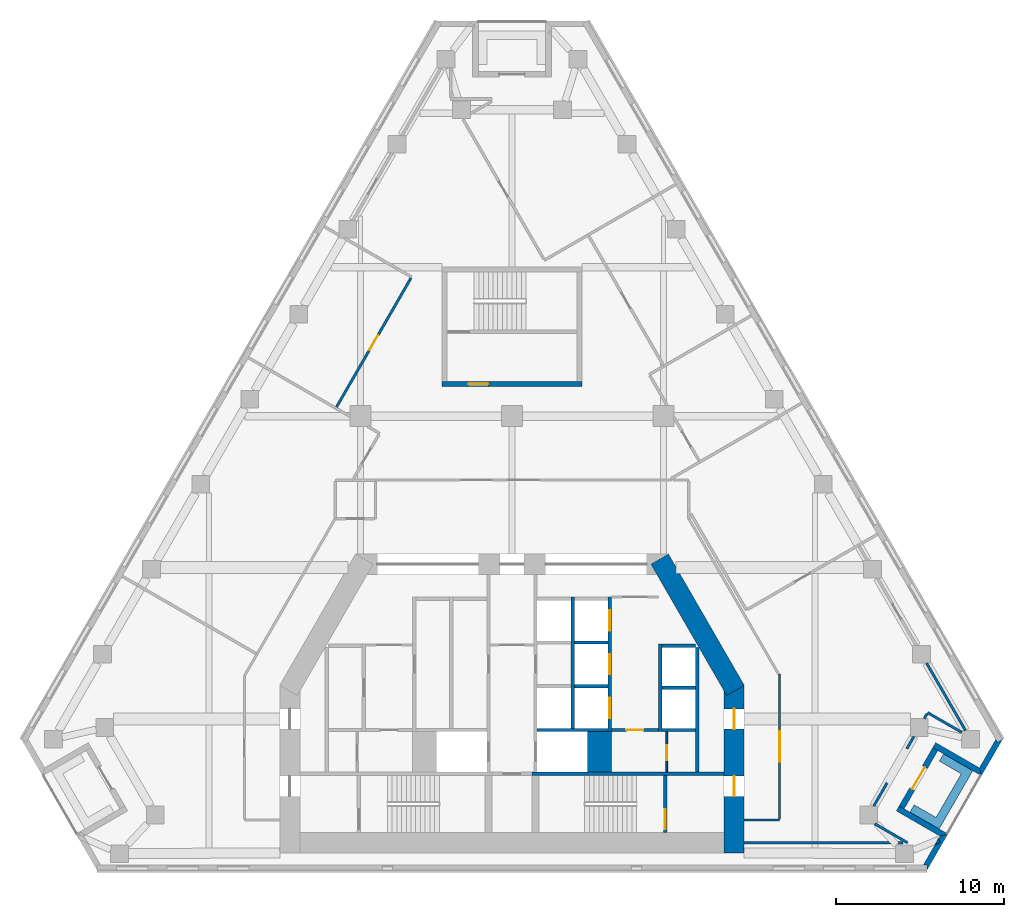
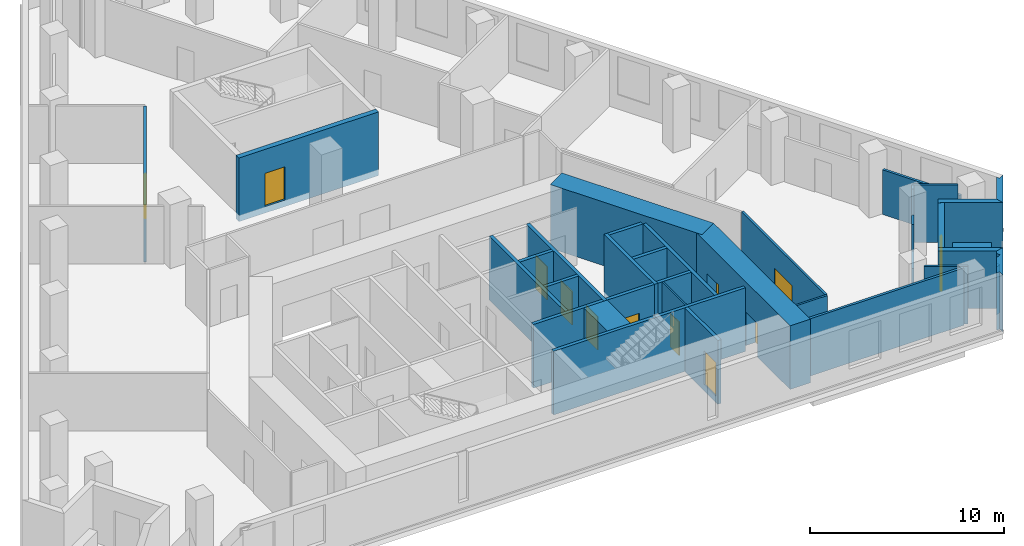
# One storey, part 6 of 9: 35 walls, 12 doors, 12 openings.
"""IFC4 building model written with IfcOpenShell, lengths in metres."""

from ifc_helpers import new_model, si_unit, direction, frame, frame_2d, origin, place, context, subcontext, project, spatial, polyline, rectangle, outline, extrude, material, layer, layer_set, type_object, element, fill, save


model = new_model("IFC4")

# Units and contexts
model_context = context("Model", 3, precision=1e-05, world=origin(), true_north=direction((0.0, 1.0)))
body_context = subcontext(model_context, "Body", "Model", "MODEL_VIEW")
ifc_project = project(units=[si_unit("LENGTHUNIT", "METRE"), si_unit("AREAUNIT", "SQUARE_METRE"), si_unit("VOLUMEUNIT", "CUBIC_METRE"), si_unit("PLANEANGLEUNIT", "RADIAN"), si_unit("MASSUNIT", "GRAM", prefix="KILO")], contexts=[model_context])

# Site, building, storey
site_placement = place(None, origin())
site = spatial("IfcSite", under=ifc_project, at=site_placement, CompositionType="ELEMENT")
building_placement = place(site_placement, origin())
building = spatial("IfcBuilding", under=site, at=building_placement, Name="Fogline Exchange Tower", CompositionType="ELEMENT")
storey_placement = place(building_placement, frame((0.0, 0.0, 146.89990234375)))
storey = spatial("IfcBuildingStorey", under=building, at=storey_placement, Name="L32", CompositionType="ELEMENT", Elevation=146.89990234375)

# Wall, opening, door
ifc_material_1 = material(Name="Blockwork partition", Category="masonry")
ifc_layer_1 = layer(ifc_material_1, 0.10009765625)
ifc_layer_set_1 = layer_set([ifc_layer_1], Name="CW10")
wall_type_1 = type_object("IfcWallType", Name="CW10", PredefinedType="PARTITIONING", material=ifc_layer_set_1)
wall_1_placement = place(storey_placement, frame((9.199951171875, 5.85009765625, 0.0), z_axis=(0.0, 0.0, 1.0), x_axis=(0.0, 1.0, 0.0)))
wall_1 = element("IfcWall", 1, at=wall_1_placement, inside=storey, type_object=wall_type_1, Name="WC partition", PredefinedType="PARTITIONING", context=body_context, shape_type="SweptSolid", body=[
    extrude(rectangle(XDim=2.39990234375, YDim=0.10009765625, at=frame_2d((1.199951171875, 0.0))), origin(), (0.0, 0.0, 1.0), 3.60009765625),
])
opening_1_placement = place(wall_1_placement, frame((0.699951171875, 0.0, 0.0)))
opening_1 = element("IfcOpeningElement", 2, at=opening_1_placement, cuts=wall_1, Name="Opening T10-C014", PredefinedType="OPENING", context=body_context, shape_type="SweptSolid", body=[
    extrude(rectangle(XDim=0.89990234375, YDim=2.10009765625, at=frame_2d((0.449951171875, 1.050048828125))), frame((0.0, 0.06005859375, 0.0), z_axis=(0.0, -1.0, 0.0), x_axis=(1.0, 0.0, 0.0)), (0.0, 0.0, 1.0), 0.1201171875),
])
ifc_material_2 = material(Name="Steel and timber fire door", Category="steel")
door_type_1 = type_object("IfcDoorType", Name="D-CS1", OperationType="SINGLE_SWING_RIGHT", PredefinedType="DOOR", material=ifc_material_2)
door_1_placement = place(opening_1_placement, frame((0.89990234375, 0.0, 0.0), z_axis=(0.0, 0.0, 1.0), x_axis=(-1.0, 0.0, 0.0)))
door_1 = element("IfcDoor", 3, at=door_1_placement, inside=storey, type_object=door_type_1, Name="Door to Cleaner's Store", OperationType="SINGLE_SWING_RIGHT", OverallHeight=2.10009765625, OverallWidth=0.89990234375, PredefinedType="DOOR", context=body_context, shape_type="SweptSolid", body=[
    extrude(rectangle(XDim=0.89990234375, YDim=2.10009765625, at=frame_2d((0.449951171875, 1.050048828125))), frame((0.0, 0.02490234375, 0.0), z_axis=(0.0, -1.0, 0.0), x_axis=(1.0, 0.0, 0.0)), (0.0, 0.0, 1.0), 0.050048828125),
])
fill(opening_1, door_1)

# Walls
ifc_material_3 = material(Name="Concrete C60", Category="concrete")
ifc_layer_2 = layer(ifc_material_3, 1.39990234375)
ifc_layer_set_2 = layer_set([ifc_layer_2], Name="CW140")
wall_type_2 = type_object("IfcWallType", Name="CW140", PredefinedType="SOLIDWALL", material=ifc_layer_set_2)
wall_2_placement = place(storey_placement, frame((5.199951171875, 5.85009765625, -0.39990234375), z_axis=(0.0, 0.0, 1.0), x_axis=(0.0, 1.0, 0.0)))
element("IfcWall", 4, at=wall_2_placement, inside=storey, type_object=wall_type_2, Name="Lift shaft block wall", PredefinedType="SOLIDWALL", context=body_context, shape_type="SweptSolid", body=[
    extrude(rectangle(XDim=2.39990234375, YDim=1.39990234375, at=frame_2d((1.199951171875, 0.0))), origin(), (0.0, 0.0, 1.0), 4.0),
])
ifc_material_4 = material(Name="Concrete C40", Category="concrete")
ifc_layer_3 = layer(ifc_material_4, 0.199951171875)
ifc_layer_set_3 = layer_set([ifc_layer_3], Name="CW20")
wall_type_3 = type_object("IfcWallType", Name="CW20", PredefinedType="SOLIDWALL", material=ifc_layer_set_3)
wall_3_placement = place(storey_placement, frame((11.0, 5.85009765625, 0.0), z_axis=(0.0, 0.0, 1.0), x_axis=(0.0, 1.0, 0.0)))
element("IfcWall", 5, at=wall_3_placement, inside=storey, type_object=wall_type_3, Name="Service room wall", PredefinedType="SOLIDWALL", context=body_context, shape_type="SweptSolid", body=[
    extrude(rectangle(XDim=7.39990234375, YDim=0.199951171875, at=frame_2d((3.699951171875, 0.0))), origin(), (0.0, 0.0, 1.0), 3.60009765625),
])

# Wall, opening, door
wall_4_placement = place(storey_placement, frame((5.89990234375, 8.35009765625, 0.0), z_axis=(0.0, 0.0, 1.0), x_axis=(1.0, 0.0, 0.0)))
wall_4 = element("IfcWall", 6, at=wall_4_placement, inside=storey, type_object=wall_type_3, Name="WC wall", PredefinedType="SOLIDWALL", context=body_context, shape_type="SweptSolid", body=[
    extrude(rectangle(XDim=2.800048828125, YDim=0.199951171875, at=frame_2d((1.39990234375, 0.0))), origin(), (0.0, 0.0, 1.0), 3.60009765625),
])
opening_2_placement = place(wall_4_placement, frame((0.89990234375, 0.0, 0.0)))
opening_2 = element("IfcOpeningElement", 7, at=opening_2_placement, cuts=wall_4, Name="Opening T10-C013", PredefinedType="OPENING", context=body_context, shape_type="SweptSolid", body=[
    extrude(rectangle(XDim=1.0, YDim=2.10009765625, at=frame_2d((0.5, 1.050048828125))), frame((0.0, 0.10986328125, 0.0), z_axis=(0.0, -1.0, 0.0), x_axis=(1.0, 0.0, 0.0)), (0.0, 0.0, 1.0), 0.219970703125),
])
door_type_2 = type_object("IfcDoorType", Name="D-WC1", OperationType="SINGLE_SWING_LEFT", PredefinedType="DOOR", material=ifc_material_2)
door_2_placement = place(opening_2_placement, frame((1.0, 0.0, 0.0), z_axis=(0.0, 0.0, 1.0), x_axis=(-1.0, 0.0, 0.0)))
door_2 = element("IfcDoor", 8, at=door_2_placement, inside=storey, type_object=door_type_2, Name="Door to Women's WC", OperationType="SINGLE_SWING_LEFT", OverallHeight=2.10009765625, OverallWidth=1.0, PredefinedType="DOOR", context=body_context, shape_type="SweptSolid", body=[
    extrude(rectangle(XDim=1.0, YDim=2.10009765625, at=frame_2d((0.5, 1.050048828125))), frame((0.0, 0.02490234375, 0.0), z_axis=(0.0, -1.0, 0.0), x_axis=(1.0, 0.0, 0.0)), (0.0, 0.0, 1.0), 0.050048828125),
])
fill(opening_2, door_2)

# Wall
ifc_layer_4 = layer(ifc_material_4, 0.199951171875)
ifc_layer_set_4 = layer_set([ifc_layer_4], Name="CW20R")
wall_type_4 = type_object("IfcWallType", Name="CW20R", PredefinedType="SOLIDWALL", material=ifc_layer_set_4)
wall_5_placement = place(storey_placement, frame((1.199951171875, 5.75, -0.39990234375), z_axis=(0.0, 0.0, 1.0), x_axis=(1.0, 0.0, 0.0)))
element("IfcWall", 9, at=wall_5_placement, inside=storey, type_object=wall_type_4, Name="Stair enclosure wall", PredefinedType="SOLIDWALL", context=body_context, shape_type="SweptSolid", body=[
    extrude(rectangle(XDim=11.400146484375, YDim=0.199951171875, at=frame_2d((5.7001953125, 0.0))), origin(), (0.0, 0.0, 1.0), 4.0),
])

# Wall, opening, door
wall_6_placement = place(storey_placement, frame((9.10009765625, 2.25, -0.39990234375), z_axis=(0.0, 0.0, 1.0), x_axis=(0.0, 1.0, 0.0)))
wall_6 = element("IfcWall", 10, at=wall_6_placement, inside=storey, type_object=wall_type_4, Name="Stair enclosure wall", PredefinedType="SOLIDWALL", context=body_context, shape_type="SweptSolid", body=[
    extrude(rectangle(XDim=3.39990234375, YDim=0.199951171875, at=frame_2d((1.699951171875, 0.0))), origin(), (0.0, 0.0, 1.0), 4.0),
])
opening_3_placement = place(wall_6_placement, frame((0.199951171875, 0.0, 0.39990234375)))
opening_3 = element("IfcOpeningElement", 11, at=opening_3_placement, cuts=wall_6, Name="Opening T10-C016", PredefinedType="OPENING", context=body_context, shape_type="SweptSolid", body=[
    extrude(rectangle(XDim=1.199951171875, YDim=2.10009765625, at=frame_2d((0.60009765625, 1.050048828125))), frame((0.0, 0.10986328125, 0.0), z_axis=(0.0, -1.0, 0.0), x_axis=(1.0, 0.0, 0.0)), (0.0, 0.0, 1.0), 0.219970703125),
])
door_type_3 = type_object("IfcDoorType", Name="D-ST1", OperationType="SINGLE_SWING_LEFT", PredefinedType="DOOR", material=ifc_material_2)
door_3_placement = place(opening_3_placement, origin())
door_3 = element("IfcDoor", 12, at=door_3_placement, inside=storey, type_object=door_type_3, Name="Stair door ST2", OperationType="SINGLE_SWING_LEFT", OverallHeight=2.10009765625, OverallWidth=1.199951171875, PredefinedType="DOOR", context=body_context, shape_type="SweptSolid", body=[
    extrude(rectangle(XDim=1.199951171875, YDim=2.10009765625, at=frame_2d((0.60009765625, 1.050048828125))), frame((0.0, 0.02490234375, 0.0), z_axis=(0.0, -1.0, 0.0), x_axis=(1.0, 0.0, 0.0)), (0.0, 0.0, 1.0), 0.050048828125),
])
fill(opening_3, door_3)

# Wall
ifc_layer_5 = layer(ifc_material_4, 0.199951171875)
ifc_layer_set_5 = layer_set([ifc_layer_5], Name="CW20S")
wall_type_5 = type_object("IfcWallType", Name="CW20S", PredefinedType="SOLIDWALL", material=ifc_layer_set_5)
wall_7_placement = place(storey_placement, frame((8.800048828125, 8.25, -0.39990234375), z_axis=(0.0, 0.0, 1.0), x_axis=(0.0, 1.0, 0.0)))
element("IfcWall", 13, at=wall_7_placement, inside=storey, type_object=wall_type_5, Name="Lift shaft wall", PredefinedType="SOLIDWALL", context=body_context, shape_type="SweptSolid", body=[
    extrude(rectangle(XDim=5.199951171875, YDim=0.199951171875, at=frame_2d((2.60009765625, 0.0))), origin(), (0.0, 0.0, 1.0), 4.0),
])

# Wall, openings, doors
wall_8_placement = place(storey_placement, frame((5.800048828125, 8.25, -0.39990234375), z_axis=(0.0, 0.0, 1.0), x_axis=(0.0, 1.0, 0.0)))
wall_8 = element("IfcWall", 14, at=wall_8_placement, inside=storey, type_object=wall_type_5, Name="Lift shaft wall", PredefinedType="SOLIDWALL", context=body_context, shape_type="SweptSolid", body=[
    extrude(rectangle(XDim=8.0, YDim=0.199951171875, at=frame_2d((4.0, 0.0))), origin(), (0.0, 0.0, 1.0), 4.0),
])
opening_4_placement = place(wall_8_placement, frame((0.800048828125, 0.0, 0.39990234375)))
opening_4 = element("IfcOpeningElement", 15, at=opening_4_placement, cuts=wall_8, Name="Opening T10-LD02", PredefinedType="OPENING", context=body_context, shape_type="SweptSolid", body=[
    extrude(rectangle(XDim=1.199951171875, YDim=2.10009765625, at=frame_2d((0.60009765625, 1.050048828125))), frame((0.0, 0.10986328125, 0.0), z_axis=(0.0, -1.0, 0.0), x_axis=(1.0, 0.0, 0.0)), (0.0, 0.0, 1.0), 0.219970703125),
])
opening_5_placement = place(wall_8_placement, frame((3.39990234375, 0.0, 0.39990234375)))
opening_5 = element("IfcOpeningElement", 16, at=opening_5_placement, cuts=wall_8, Name="Opening T10-LD03", PredefinedType="OPENING", context=body_context, shape_type="SweptSolid", body=[
    extrude(rectangle(XDim=1.199951171875, YDim=2.10009765625, at=frame_2d((0.60009765625, 1.050048828125))), frame((0.0, 0.10986328125, 0.0), z_axis=(0.0, -1.0, 0.0), x_axis=(1.0, 0.0, 0.0)), (0.0, 0.0, 1.0), 0.219970703125),
])
opening_6_placement = place(wall_8_placement, frame((6.0, 0.0, 0.39990234375)))
opening_6 = element("IfcOpeningElement", 17, at=opening_6_placement, cuts=wall_8, Name="Opening T10-LD04", PredefinedType="OPENING", context=body_context, shape_type="SweptSolid", body=[
    extrude(rectangle(XDim=1.199951171875, YDim=2.10009765625, at=frame_2d((0.60009765625, 1.050048828125))), frame((0.0, 0.10986328125, 0.0), z_axis=(0.0, -1.0, 0.0), x_axis=(1.0, 0.0, 0.0)), (0.0, 0.0, 1.0), 0.219970703125),
])
door_type_4 = type_object("IfcDoorType", Name="LD1", OperationType="SLIDING_TO_LEFT", PredefinedType="DOOR", material=ifc_material_2)
door_4_placement = place(opening_4_placement, origin())
door_4 = element("IfcDoor", 18, at=door_4_placement, inside=storey, type_object=door_type_4, Name="Landing door MR1", OperationType="SLIDING_TO_LEFT", OverallHeight=2.10009765625, OverallWidth=1.199951171875, PredefinedType="DOOR", context=body_context, shape_type="SweptSolid", body=[
    extrude(rectangle(XDim=1.199951171875, YDim=2.10009765625, at=frame_2d((0.60009765625, 1.050048828125))), frame((0.0, 0.02490234375, 0.0), z_axis=(0.0, -1.0, 0.0), x_axis=(1.0, 0.0, 0.0)), (0.0, 0.0, 1.0), 0.050048828125),
])
fill(opening_4, door_4)
door_5_placement = place(opening_5_placement, origin())
door_5 = element("IfcDoor", 19, at=door_5_placement, inside=storey, type_object=door_type_4, Name="Landing door MR2", OperationType="SLIDING_TO_LEFT", OverallHeight=2.10009765625, OverallWidth=1.199951171875, PredefinedType="DOOR", context=body_context, shape_type="SweptSolid", body=[
    extrude(rectangle(XDim=1.199951171875, YDim=2.10009765625, at=frame_2d((0.60009765625, 1.050048828125))), frame((0.0, 0.02490234375, 0.0), z_axis=(0.0, -1.0, 0.0), x_axis=(1.0, 0.0, 0.0)), (0.0, 0.0, 1.0), 0.050048828125),
])
fill(opening_5, door_5)
door_6_placement = place(opening_6_placement, origin())
door_6 = element("IfcDoor", 20, at=door_6_placement, inside=storey, type_object=door_type_4, Name="Landing door MR3", OperationType="SLIDING_TO_LEFT", OverallHeight=2.10009765625, OverallWidth=1.199951171875, PredefinedType="DOOR", context=body_context, shape_type="SweptSolid", body=[
    extrude(rectangle(XDim=1.199951171875, YDim=2.10009765625, at=frame_2d((0.60009765625, 1.050048828125))), frame((0.0, 0.02490234375, 0.0), z_axis=(0.0, -1.0, 0.0), x_axis=(1.0, 0.0, 0.0)), (0.0, 0.0, 1.0), 0.050048828125),
])
fill(opening_6, door_6)

# Walls
wall_9_placement = place(storey_placement, frame((3.60009765625, 8.449951171875, -0.39990234375), z_axis=(0.0, 0.0, 1.0), x_axis=(0.0, 1.0, 0.0)))
element("IfcWall", 21, at=wall_9_placement, inside=storey, type_object=wall_type_5, Name="Lift shaft wall", PredefinedType="SOLIDWALL", context=body_context, shape_type="SweptSolid", body=[
    extrude(rectangle(XDim=7.800048828125, YDim=0.199951171875, at=frame_2d((3.89990234375, 0.0))), origin(), (0.0, 0.0, 1.0), 4.0),
])
wall_10_placement = place(storey_placement, frame((8.89990234375, 8.35009765625, -0.39990234375), z_axis=(0.0, 0.0, 1.0), x_axis=(1.0, 0.0, 0.0)))
element("IfcWall", 22, at=wall_10_placement, inside=storey, type_object=wall_type_5, Name="Lift shaft wall", PredefinedType="SOLIDWALL", context=body_context, shape_type="SweptSolid", body=[
    extrude(rectangle(XDim=2.0, YDim=0.199951171875, at=frame_2d((1.0, 0.0))), origin(), (0.0, 0.0, 1.0), 4.0),
])
wall_11_placement = place(storey_placement, frame((1.5, 8.35009765625, -0.39990234375), z_axis=(0.0, 0.0, 1.0), x_axis=(1.0, 0.0, 0.0)))
element("IfcWall", 23, at=wall_11_placement, inside=storey, type_object=wall_type_5, Name="Lift shaft wall", PredefinedType="SOLIDWALL", context=body_context, shape_type="SweptSolid", body=[
    extrude(rectangle(XDim=4.199951171875, YDim=0.199951171875, at=frame_2d((2.10009765625, 0.0))), origin(), (0.0, 0.0, 1.0), 4.0),
])
for number, where, z_axis, x_axis, name in (
    (24, (8.89990234375, 10.85009765625, -0.39990234375), (0.0, 0.0, 1.0), (1.0, 0.0, 0.0), "Lift shaft wall"),
    (25, (8.89990234375, 13.35009765625, -0.39990234375), (0.0, 0.0, 1.0), (1.0, 0.0, 0.0), "Lift shaft wall"),
    (26, (3.699951171875, 10.949951171875, -0.39990234375), (0.0, 0.0, 1.0), (1.0, 0.0, 0.0), "Lift shaft wall"),
    (27, (3.699951171875, 13.550048828125, -0.39990234375), (0.0, 0.0, 1.0), (1.0, 0.0, 0.0), "Lift shaft wall"),
):
    element("IfcWall", number, at=place(storey_placement, frame(where, z_axis=z_axis, x_axis=x_axis)), inside=storey, type_object=wall_type_5, Name=name, PredefinedType="SOLIDWALL", context=body_context, shape_type="SweptSolid", body=[
        extrude(rectangle(XDim=2.0, YDim=0.199951171875, at=frame_2d((1.0, 0.0))), origin(), (0.0, 0.0, 1.0), 4.0),
    ])

# Wall, opening, door
ifc_layer_6 = layer(ifc_material_4, 0.300048828125)
ifc_layer_set_6 = layer_set([ifc_layer_6], Name="CW30")
wall_type_6 = type_object("IfcWallType", Name="CW30", PredefinedType="SOLIDWALL", material=ifc_layer_set_6)
wall_12_placement = place(storey_placement, frame((-4.14990234375, 28.906982421875, -0.39990234375), z_axis=(0.0, 0.0, 1.0), x_axis=(1.0, 0.0, 0.0)))
wall_12 = element("IfcWall", 28, at=wall_12_placement, inside=storey, type_object=wall_type_6, Name="Stair enclosure wall ST3", PredefinedType="SOLIDWALL", context=body_context, shape_type="SweptSolid", body=[
    extrude(rectangle(XDim=8.2998046875, YDim=0.300048828125, at=frame_2d((4.14990234375, 0.0))), origin(), (0.0, 0.0, 1.0), 4.0),
])
opening_7_placement = place(wall_12_placement, frame((1.550048828125, 0.0, 0.39990234375)))
opening_7 = element("IfcOpeningElement", 29, at=opening_7_placement, cuts=wall_12, Name="Opening T10-C022", PredefinedType="OPENING", context=body_context, shape_type="SweptSolid", body=[
    extrude(rectangle(XDim=1.199951171875, YDim=2.10009765625, at=frame_2d((0.60009765625, 1.050048828125))), frame((0.0, 0.16015625, 0.0), z_axis=(0.0, -1.0, 0.0), x_axis=(1.0, 0.0, 0.0)), (0.0, 0.0, 1.0), 0.320068359375),
])
door_type_5 = type_object("IfcDoorType", Name="D-FR1", OperationType="SINGLE_SWING_RIGHT", PredefinedType="DOOR", material=ifc_material_2)
door_7_placement = place(opening_7_placement, origin())
door_7 = element("IfcDoor", 30, at=door_7_placement, inside=storey, type_object=door_type_5, Name="Front room door ST3", OperationType="SINGLE_SWING_LEFT", OverallHeight=2.10009765625, OverallWidth=1.199951171875, PredefinedType="DOOR", context=body_context, shape_type="SweptSolid", body=[
    extrude(rectangle(XDim=1.199951171875, YDim=2.10009765625, at=frame_2d((0.60009765625, 1.050048828125))), frame((0.0, 0.02490234375, 0.0), z_axis=(0.0, -1.0, 0.0), x_axis=(1.0, 0.0, 0.0)), (0.0, 0.0, 1.0), 0.050048828125),
])
fill(opening_7, door_7)

# Walls
ifc_material_5 = material(Name="Brick masonry", Category="masonry")
ifc_layer_7 = layer(ifc_material_5, 0.340087890625)
ifc_layer_set_7 = layer_set([ifc_layer_7], Name="FW1")
wall_type_7 = type_object("IfcWallType", Name="FW1", PredefinedType="SOLIDWALL", material=ifc_layer_set_7)
wall_13_placement = place(storey_placement, origin())
element("IfcWall", 31, at=wall_13_placement, inside=storey, type_object=wall_type_7, Name="Brick wall L32 SE-c1", PredefinedType="SOLIDWALL", context=body_context, shape_type="SweptSolid", body=[
    extrude(outline(polyline([(25.338134765625, 1.875732421875), (25.43115234375, 1.649658203125), (25.137939453125, 1.529052734375), (25.338134765625, 1.875732421875)])), origin(), (0.0, 0.0, 1.0), 3.0),
])
wall_14_placement = place(storey_placement, origin())
element("IfcWall", 32, at=wall_14_placement, inside=storey, type_object=wall_type_7, Name="Brick wall L32 SE-c1", PredefinedType="SOLIDWALL", context=body_context, shape_type="SweptSolid", body=[
    extrude(outline(polyline([(24.6484375, -0.001220703125), (24.64794921875, -0.0009765625), (24.64794921875, 0.33935546875), (24.451171875, 0.33935546875), (25.137939453125, 1.529052734375), (25.43115234375, 1.649658203125), (25.338134765625, 1.875732421875), (25.43359375, 2.041015625), (25.8994140625, 2.166015625), (25.8994140625, 2.165771484375), (24.6484375, -0.001220703125)])), origin(), (0.0, 0.0, 1.0), 3.60009765625),
])
wall_15_placement = place(storey_placement, origin())
element("IfcWall", 33, at=wall_15_placement, inside=storey, type_object=wall_type_7, Name="Brick wall L32 SE-s1", PredefinedType="SOLIDWALL", context=body_context, shape_type="SweptSolid", body=[
    extrude(outline(polyline([(22.835205078125, 3.540283203125), (23.005859375, 3.8359375), (23.30078125, 3.66552734375), (25.899658203125, 2.1650390625), (25.899658203125, 2.164794921875), (25.433837890625, 2.0400390625), (22.835205078125, 3.540283203125)])), origin(), (0.0, 0.0, 1.0), 3.60009765625),
])

# Wall, opening, door
wall_16_placement = place(storey_placement, frame((23.153076171875, 3.75, 0.0), z_axis=(0.0, 0.0, 1.0), x_axis=(0.49999894854, 0.866026010844, 0.0)))
wall_16 = element("IfcWall", 34, at=wall_16_placement, inside=storey, type_object=wall_type_7, Name="Brick wall L32 SE-bk", PredefinedType="SOLIDWALL", context=body_context, shape_type="SweptSolid", body=[
    extrude(rectangle(XDim=4.0, YDim=0.340087890625, at=frame_2d((2.0, 0.0))), origin(), (0.0, 0.0, 1.0), 3.60009765625),
])
opening_8_placement = place(wall_16_placement, frame((1.25, 0.0, 0.0)))
opening_8 = element("IfcOpeningElement", 35, at=opening_8_placement, cuts=wall_16, Name="Opening T10-E081", PredefinedType="OPENING", context=body_context, shape_type="SweptSolid", body=[
    extrude(rectangle(XDim=1.5, YDim=2.39990234375, at=frame_2d((0.75, 1.199951171875))), frame((0.0, 0.18017578125, 0.0), z_axis=(0.0, -1.0, 0.0), x_axis=(1.0, 0.0, 0.0)), (0.0, 0.0, 1.0), 0.360107421875),
])
ifc_material_6 = material(Name="Aluminium and glass", Category="aluminium")
door_type_6 = type_object("IfcDoorType", Name="ED4", OperationType="SINGLE_SWING_LEFT", PredefinedType="DOOR", material=ifc_material_6)
door_8_placement = place(opening_8_placement, frame((1.5, 0.0, 0.0), z_axis=(0.0, 0.0, 1.0), x_axis=(-1.0, 0.0, 0.0)))
door_8 = element("IfcDoor", 36, at=door_8_placement, inside=storey, type_object=door_type_6, Name="Balcony door L32 SE", OperationType="DOUBLE_DOOR_SINGLE_SWING", OverallHeight=2.39990234375, OverallWidth=1.5, PredefinedType="DOOR", context=body_context, shape_type="SweptSolid", body=[
    extrude(rectangle(XDim=1.5, YDim=2.39990234375, at=frame_2d((0.75, 1.199951171875))), frame((0.0, 0.02490234375, 0.0), z_axis=(0.0, -1.0, 0.0), x_axis=(1.0, 0.0, 0.0)), (0.0, 0.0, 1.0), 0.050048828125),
])
fill(opening_8, door_8)

# Walls
wall_17_placement = place(storey_placement, origin())
element("IfcWall", 37, at=wall_17_placement, inside=storey, type_object=wall_type_7, Name="Brick wall L32 SE-s2", PredefinedType="SOLIDWALL", context=body_context, shape_type="SweptSolid", body=[
    extrude(outline(polyline([(27.899169921875, 5.628173828125), (25.300048828125, 7.128662109375), (25.005126953125, 7.298828125), (25.17578125, 7.594482421875), (27.774658203125, 6.093994140625), (27.8994140625, 5.62841796875), (27.899169921875, 5.628173828125)])), origin(), (0.0, 0.0, 1.0), 3.60009765625),
])
wall_18_placement = place(storey_placement, origin())
element("IfcWall", 38, at=wall_18_placement, inside=storey, type_object=wall_type_7, Name="Brick wall L32 SE-c2", PredefinedType="SOLIDWALL", context=body_context, shape_type="SweptSolid", body=[
    extrude(outline(polyline([(28.755859375, 7.79541015625), (28.854248046875, 7.625), (29.149169921875, 7.79541015625), (29.149658203125, 7.794921875), (27.8984375, 5.6279296875), (27.898193359375, 5.6279296875), (27.7734375, 6.09375), (28.755859375, 7.79541015625)])), origin(), (0.0, 0.0, 1.0), 3.60009765625),
])
ifc_material_7 = material(Name="Concrete C30", Category="concrete")
ifc_layer_8 = layer(ifc_material_7, 0.199951171875)
ifc_layer_set_8 = layer_set([ifc_layer_8], Name="PL1")
wall_type_8 = type_object("IfcWallType", Name="PL1", PredefinedType="USERDEFINED", material=ifc_layer_set_8)
wall_19_placement = place(storey_placement, origin())
element("IfcWall", 39, at=wall_19_placement, inside=storey, type_object=wall_type_8, Name="PLANTER balcony L32 SE", ObjectType="PLANTER", PredefinedType="USERDEFINED", context=body_context, shape_type="SweptSolid", body=[
    extrude(outline(polyline([(23.646728515625, 3.465087890625), (24.94580078125, 2.715087890625), (24.94580078125, 2.715087890625), (25.37890625, 2.465087890625), (27.12890625, 5.49609375), (27.37890625, 5.92919921875), (25.646728515625, 6.92919921875), (25.396728515625, 6.49609375), (26.69580078125, 5.74609375), (25.19580078125, 3.148193359375), (23.896728515625, 3.898193359375), (23.646728515625, 3.465087890625)])), origin(), (0.0, 0.0, 1.0), 1.10009765625),
])

# Wall, opening, door
ifc_material_8 = material(Name="Plasterboard corridor partition with mineral wool, 2 layers each side")
ifc_layer_9 = layer(ifc_material_8, 0.125)
ifc_layer_set_9 = layer_set([ifc_layer_9], Name="PW2")
wall_type_9 = type_object("IfcWallType", Name="PW2", PredefinedType="PARTITIONING", material=ifc_layer_set_9)
wall_20_placement = place(storey_placement, frame((15.89990234375, 11.67041015625, 0.0), z_axis=(0.0, 0.0, 1.0), x_axis=(0.0, -1.0, 0.0)))
wall_20 = element("IfcWall", 40, at=wall_20_placement, inside=storey, type_object=wall_type_9, Name="wall-L32-W002", PredefinedType="PARTITIONING", context=body_context, shape_type="SweptSolid", body=[
    extrude(rectangle(XDim=8.60791015625, YDim=0.125, at=frame_2d((4.303955078125, 0.0))), origin(), (0.0, 0.0, 1.0), 3.60009765625),
])
opening_9_placement = place(wall_20_placement, frame((3.40380859375, 0.0, 0.0)))
opening_9 = element("IfcOpeningElement", 41, at=opening_9_placement, cuts=wall_20, Name="Opening T10-D001", PredefinedType="OPENING", context=body_context, shape_type="SweptSolid", body=[
    extrude(rectangle(XDim=1.800048828125, YDim=2.10009765625, at=frame_2d((0.89990234375, 1.050048828125))), frame((0.0, 0.072509765625, 0.0), z_axis=(0.0, -1.0, 0.0), x_axis=(1.0, 0.0, 0.0)), (0.0, 0.0, 1.0), 0.14501953125),
])
ifc_material_9 = material(Name="Fire-rated timber door leaves with steel frame", Category="steel")
door_type_7 = type_object("IfcDoorType", Name="D4", OperationType="DOUBLE_DOOR_SINGLE_SWING", PredefinedType="DOOR", material=ifc_material_9)
door_9_placement = place(opening_9_placement, frame((1.800048828125, 0.0, 0.0), z_axis=(0.0, 0.0, 1.0), x_axis=(-1.0, 0.0, 0.0)))
door_9 = element("IfcDoor", 42, at=door_9_placement, inside=storey, type_object=door_type_7, Name="door-L32-D001", OperationType="DOUBLE_DOOR_SINGLE_SWING", OverallHeight=2.10009765625, OverallWidth=1.800048828125, PredefinedType="DOOR", context=body_context, shape_type="SweptSolid", body=[
    extrude(rectangle(XDim=1.800048828125, YDim=2.10009765625, at=frame_2d((0.89990234375, 1.050048828125))), frame((0.0, 0.02490234375, 0.0), z_axis=(0.0, -1.0, 0.0), x_axis=(1.0, 0.0, 0.0)), (0.0, 0.0, 1.0), 0.050048828125),
])
fill(opening_9, door_9)

# Wall
wall_21_placement = place(storey_placement, frame((15.89990234375, 3.0, 0.0), z_axis=(0.0, 0.0, 1.0), x_axis=(-1.0, 0.0, 0.0)))
element("IfcWall", 43, at=wall_21_placement, inside=storey, type_object=wall_type_9, Name="wall-L32-W003", PredefinedType="PARTITIONING", context=body_context, shape_type="SweptSolid", body=[
    extrude(rectangle(XDim=2.099853515625, YDim=0.125, at=frame_2d((1.0498046875, 0.0))), origin(), (0.0, 0.0, 1.0), 3.60009765625),
])

# Wall, opening, door
ifc_material_10 = material(Name="Plasterboard demising partition with mineral wool and acoustic board")
ifc_layer_10 = layer(ifc_material_10, 0.14990234375)
ifc_layer_set_10 = layer_set([ifc_layer_10], Name="PW3")
wall_type_10 = type_object("IfcWallType", Name="PW3", PredefinedType="PARTITIONING", material=ifc_layer_set_10)
wall_22_placement = place(storey_placement, frame((-10.429443359375, 27.53662109375, 0.0), z_axis=(0.0, 0.0, 1.0), x_axis=(0.50001697323, 0.866015604063, 0.0)))
wall_22 = element("IfcWall", 44, at=wall_22_placement, inside=storey, type_object=wall_type_10, Name="wall-L32-W032", PredefinedType="PARTITIONING", context=body_context, shape_type="SweptSolid", body=[
    extrude(rectangle(XDim=8.849853515625, YDim=0.14990234375, at=frame_2d((4.4248046875, 0.0))), origin(), (0.0, 0.0, 1.0), 3.60009765625),
])
opening_10_placement = place(wall_22_placement, frame((3.925048828125, 0.0, 0.0)))
opening_10 = element("IfcOpeningElement", 45, at=opening_10_placement, cuts=wall_22, Name="Opening T10-D011", PredefinedType="OPENING", context=body_context, shape_type="SweptSolid", body=[
    extrude(rectangle(XDim=1.0, YDim=2.10009765625, at=frame_2d((0.5, 1.050048828125))), frame((0.0, 0.0849609375, 0.0), z_axis=(0.0, -1.0, 0.0), x_axis=(1.0, 0.0, 0.0)), (0.0, 0.0, 1.0), 0.169921875),
])
ifc_material_11 = material(Name="Fire-rated timber door leaf with steel frame", Category="steel")
door_type_8 = type_object("IfcDoorType", Name="D3", OperationType="SINGLE_SWING_LEFT", PredefinedType="DOOR", material=ifc_material_11)
door_10_placement = place(opening_10_placement, origin())
door_10 = element("IfcDoor", 46, at=door_10_placement, inside=storey, type_object=door_type_8, Name="door-L32-D011", OperationType="SINGLE_SWING_LEFT", OverallHeight=2.10009765625, OverallWidth=1.0, PredefinedType="DOOR", context=body_context, shape_type="SweptSolid", body=[
    extrude(rectangle(XDim=1.0, YDim=2.10009765625, at=frame_2d((0.5, 1.050048828125))), frame((0.0, 0.02490234375, 0.0), z_axis=(0.0, -1.0, 0.0), x_axis=(1.0, 0.0, 0.0)), (0.0, 0.0, 1.0), 0.050048828125),
])
fill(opening_10, door_10)

# Walls
wall_23_placement = place(storey_placement, frame((13.800048828125, 1.64501953125, 0.0), z_axis=(0.0, 0.0, 1.0), x_axis=(1.0, 0.0, 0.0)))
element("IfcWall", 47, at=wall_23_placement, inside=storey, type_object=wall_type_10, Name="wall-L32-W043", PredefinedType="PARTITIONING", context=body_context, shape_type="SweptSolid", body=[
    extrude(rectangle(XDim=9.428955078125, YDim=0.14990234375, at=frame_2d((4.71435546875, 0.0))), origin(), (0.0, 0.0, 1.0), 3.60009765625),
])
wall_24_placement = place(storey_placement, frame((23.50927734375, 1.64501953125, 0.0), z_axis=(0.0, 0.0, 1.0), x_axis=(-0.866052353562, 0.49995331871, 0.0)))
element("IfcWall", 48, at=wall_24_placement, inside=storey, type_object=wall_type_10, Name="wall-L32-W044", PredefinedType="PARTITIONING", context=body_context, shape_type="SweptSolid", body=[
    extrude(rectangle(XDim=2.258056640625, YDim=0.14990234375, at=frame_2d((1.12890625, 0.0))), origin(), (0.0, 0.0, 1.0), 3.60009765625),
])
wall_25_placement = place(storey_placement, frame((21.49267578125, 3.823974609375, 0.0), z_axis=(0.0, 0.0, 1.0), x_axis=(0.50005006716, 0.865996495566, 0.0)))
element("IfcWall", 49, at=wall_25_placement, inside=storey, type_object=wall_type_10, Name="wall-L32-W045", PredefinedType="PARTITIONING", context=body_context, shape_type="SweptSolid", body=[
    extrude(rectangle(XDim=1.591064453125, YDim=0.14990234375, at=frame_2d((0.79541015625, 0.0))), origin(), (0.0, 0.0, 1.0), 2.800048828125),
])
wall_26_placement = place(storey_placement, frame((23.46337890625, 7.2373046875, 0.0), z_axis=(0.0, 0.0, 1.0), x_axis=(0.499955533855, 0.866051074803, 0.0)))
element("IfcWall", 50, at=wall_26_placement, inside=storey, type_object=wall_type_10, Name="wall-L32-W046", PredefinedType="PARTITIONING", context=body_context, shape_type="SweptSolid", body=[
    extrude(rectangle(XDim=0.84619140625, YDim=0.14990234375, at=frame_2d((0.423095703125, 0.0))), origin(), (0.0, 0.0, 1.0), 2.800048828125),
])
wall_27_placement = place(storey_placement, frame((24.49267578125, 9.020263671875, 0.0), z_axis=(0.0, 0.0, 1.0), x_axis=(0.50043490082, 0.865774168037, 0.0)))
element("IfcWall", 51, at=wall_27_placement, inside=storey, type_object=wall_type_10, Name="wall-L32-W047", PredefinedType="PARTITIONING", context=body_context, shape_type="SweptSolid", body=[
    extrude(rectangle(XDim=0.336181640625, YDim=0.14990234375, at=frame_2d((0.16796875, 0.0))), origin(), (0.0, 0.0, 1.0), 3.60009765625),
])
wall_28_placement = place(storey_placement, frame((24.6982421875, 9.376220703125, 0.0), z_axis=(0.0, 0.0, 1.0), x_axis=(0.866063930301, -0.499933264177, 0.0)))
element("IfcWall", 52, at=wall_28_placement, inside=storey, type_object=wall_type_10, Name="wall-L32-W048", PredefinedType="PARTITIONING", context=body_context, shape_type="SweptSolid", body=[
    extrude(rectangle(XDim=2.339111328125, YDim=0.14990234375, at=frame_2d((1.16943359375, 0.0))), origin(), (0.0, 0.0, 1.0), 3.60009765625),
])
wall_29_placement = place(storey_placement, frame((26.94580078125, 8.319091796875, 0.0), z_axis=(0.0, 0.0, 1.0), x_axis=(-0.499981705991, 0.866035965578, 0.0)))
element("IfcWall", 53, at=wall_29_placement, inside=storey, type_object=wall_type_10, Name="wall-L32-W049", PredefinedType="PARTITIONING", context=body_context, shape_type="SweptSolid", body=[
    extrude(rectangle(XDim=4.619384765625, YDim=0.14990234375, at=frame_2d((2.3095703125, 0.0))), origin(), (0.0, 0.0, 1.0), 2.800048828125),
])

# Wall, openings, doors
ifc_layer_11 = layer(ifc_material_3, 1.199951171875)
ifc_layer_set_11 = layer_set([ifc_layer_11], Name="SW02")
wall_type_11 = type_object("IfcWallType", Name="SW02", PredefinedType="SHEAR", material=ifc_layer_set_11)
wall_30_placement = place(storey_placement, frame((13.199951171875, 1.050048828125, 0.0), z_axis=(0.0, 0.0, 1.0), x_axis=(0.0, 1.0, 0.0)))
wall_30 = element("IfcWall", 54, at=wall_30_placement, inside=storey, type_object=wall_type_11, Name="L32-W902", PredefinedType="SHEAR", context=body_context, shape_type="SweptSolid", body=[
    extrude(rectangle(XDim=9.948974609375, YDim=1.199951171875, at=frame_2d((4.974609375, 0.0))), origin(), (0.0, 0.0, 1.0), 4.0),
])
opening_11_placement = place(wall_30_placement, frame((3.35009765625, 0.0, 0.0)))
opening_11 = element("IfcOpeningElement", 55, at=opening_11_placement, cuts=wall_30, Name="Opening T10-C015", PredefinedType="OPENING", context=body_context, shape_type="SweptSolid", body=[
    extrude(rectangle(XDim=1.199951171875, YDim=2.10009765625, at=frame_2d((0.60009765625, 1.050048828125))), frame((0.0, 0.60986328125, 0.0), z_axis=(0.0, -1.0, 0.0), x_axis=(1.0, 0.0, 0.0)), (0.0, 0.0, 1.0), 1.219970703125),
])
opening_12_placement = place(wall_30_placement, frame((7.35009765625, 0.0, 0.0)))
opening_12 = element("IfcOpeningElement", 56, at=opening_12_placement, cuts=wall_30, Name="Opening T10-C017", PredefinedType="OPENING", context=body_context, shape_type="SweptSolid", body=[
    extrude(rectangle(XDim=1.199951171875, YDim=2.10009765625, at=frame_2d((0.60009765625, 1.050048828125))), frame((0.0, 0.60986328125, 0.0), z_axis=(0.0, -1.0, 0.0), x_axis=(1.0, 0.0, 0.0)), (0.0, 0.0, 1.0), 1.219970703125),
])
door_11_placement = place(opening_11_placement, origin())
door_11 = element("IfcDoor", 57, at=door_11_placement, inside=storey, type_object=door_type_5, Name="Front room door ST2", OperationType="SINGLE_SWING_RIGHT", OverallHeight=2.10009765625, OverallWidth=1.199951171875, PredefinedType="DOOR", context=body_context, shape_type="SweptSolid", body=[
    extrude(rectangle(XDim=1.199951171875, YDim=2.10009765625, at=frame_2d((0.60009765625, 1.050048828125))), frame((0.0, 0.02490234375, 0.0), z_axis=(0.0, -1.0, 0.0), x_axis=(1.0, 0.0, 0.0)), (0.0, 0.0, 1.0), 0.050048828125),
])
fill(opening_11, door_11)
door_type_9 = type_object("IfcDoorType", Name="D-SV1", OperationType="SINGLE_SWING_LEFT", PredefinedType="DOOR", material=ifc_material_2)
door_12_placement = place(opening_12_placement, origin())
door_12 = element("IfcDoor", 58, at=door_12_placement, inside=storey, type_object=door_type_9, Name="Service door E", OperationType="SINGLE_SWING_RIGHT", OverallHeight=2.10009765625, OverallWidth=1.199951171875, PredefinedType="DOOR", context=body_context, shape_type="SweptSolid", body=[
    extrude(rectangle(XDim=1.199951171875, YDim=2.10009765625, at=frame_2d((0.60009765625, 1.050048828125))), frame((0.0, 0.02490234375, 0.0), z_axis=(0.0, -1.0, 0.0), x_axis=(1.0, 0.0, 0.0)), (0.0, 0.0, 1.0), 0.050048828125),
])
fill(opening_12, door_12)

# Wall
wall_31_placement = place(storey_placement, frame((13.280517578125, 10.698974609375, 0.0), z_axis=(0.0, 0.0, 1.0), x_axis=(-0.499998513025, 0.866026262288, 0.0)))
element("IfcWall", 59, at=wall_31_placement, inside=storey, type_object=wall_type_11, Name="L32-W903", PredefinedType="SHEAR", context=body_context, shape_type="SweptSolid", body=[
    extrude(rectangle(XDim=9.0078125, YDim=1.199951171875, at=frame_2d((4.50390625, 0.0))), origin(), (0.0, 0.0, 1.0), 4.0),
])

save(model, "model.ifc")
